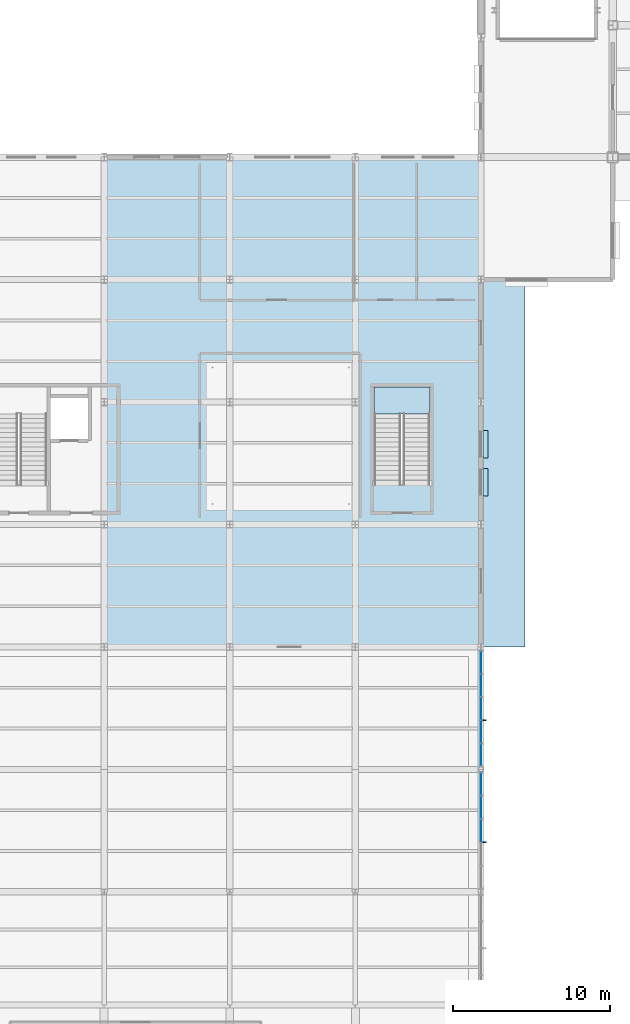
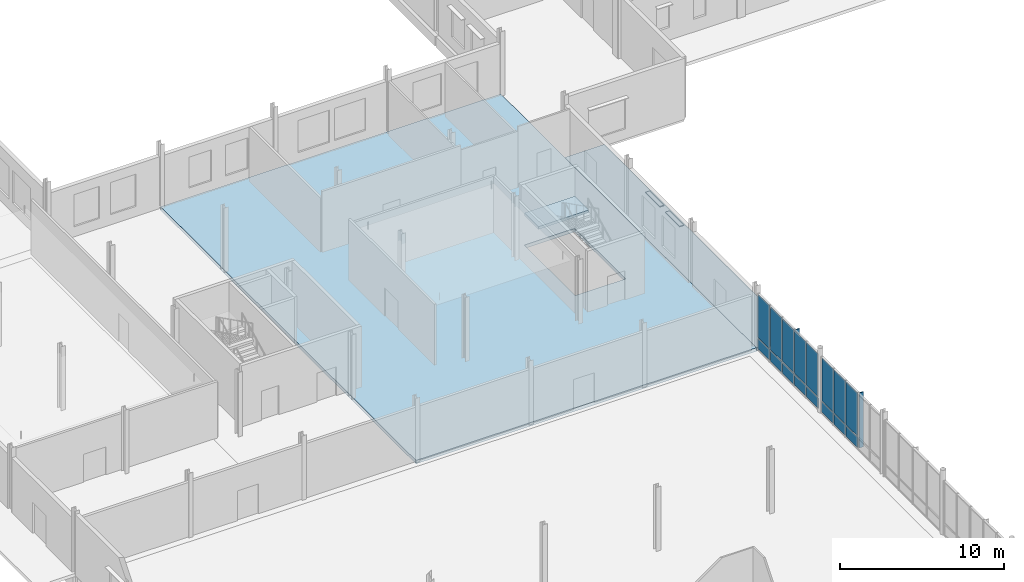
# One storey, part 44 of 82: 20 plates, 3 slabs, 3 elements without a shape of their own.
"""IFC4 building model written with IfcOpenShell, lengths in metres."""

from ifc_helpers import new_model, si_unit, direction, frame, origin, origin_2d, place, context, subcontext, project, spatial, polyline, rectangle, outline, extrude, material, layer, layer_set, type_object, element, aggregate, save


model = new_model("IFC4")

# Units and contexts
model_context = context("Model", 3, precision=1e-05, world=origin(), true_north=direction((0.0, 1.0)))
body_context = subcontext(model_context, "Body", "Model", "MODEL_VIEW")
ifc_project = project(units=[si_unit("LENGTHUNIT", "METRE"), si_unit("AREAUNIT", "SQUARE_METRE"), si_unit("VOLUMEUNIT", "CUBIC_METRE"), si_unit("PLANEANGLEUNIT", "RADIAN"), si_unit("MASSUNIT", "GRAM", prefix="KILO")], contexts=[model_context])

# Site, building, storey
site_placement = place(None, origin())
site = spatial("IfcSite", under=ifc_project, at=site_placement, CompositionType="ELEMENT")
building_placement = place(site_placement, origin())
building = spatial("IfcBuilding", under=site, at=building_placement, Name="Yukiwa Park Conservatory and Herbarium", CompositionType="ELEMENT")
storey_placement = place(building_placement, origin())
storey = spatial("IfcBuildingStorey", under=building, at=storey_placement, Name="L00", CompositionType="ELEMENT", Elevation=0.0)

# Curtain wall, plates
ifc_material_1 = material(Name="Triple Low-E Insulated Glass", Category="glass")
ifc_layer_1 = layer(ifc_material_1, 0.176025390625)
ifc_layer_set_1 = layer_set([ifc_layer_1], Name="Triple Low-E Insulated Glass")
curtain_wall_type = type_object("IfcCurtainWallType", Name="CW-CONCOURSE-1600", PredefinedType="NOTDEFINED", material=ifc_layer_set_1)
curtain_wall_1_placement = place(storey_placement, origin())
curtain_wall_1 = element("IfcCurtainWall", 1, at=curtain_wall_1_placement, inside=storey, type_object=curtain_wall_type, Name="L00 unitised curtain wall CW-L00-013", PredefinedType="NOTDEFINED")
ifc_material_2 = material(Name="Triple Low-E Insulated Glass", Category="glass")
ifc_layer_2 = layer(ifc_material_2, 0.035888671875)
ifc_layer_set_2 = layer_set([ifc_layer_2], Name="Triple Low-E Insulated Glass")
plate_type_1 = type_object("IfcPlateType", Name="PL-CW-GLZ-36", PredefinedType="CURTAIN_PANEL", material=ifc_layer_set_2)
plate_1_placement = place(storey_placement, frame((108.0, 35.0986328125, 0.93994140625), z_axis=(0.0, 0.0, 1.0), x_axis=(0.0, 1.0, 0.0)))
plate_1 = element("IfcPlate", 2, at=plate_1_placement, type_object=plate_type_1, Name="CW-L00-013 vision panel 3.2", PredefinedType="CURTAIN_PANEL", context=body_context, shape_type="SweptSolid", body=[
    extrude(rectangle(XDim=1.409423828125, YDim=0.035888671875, at=origin_2d()), origin(), (0.0, 0.0, 1.0), 3.199951171875),
])
plate_2_placement = place(storey_placement, frame((108.0, 36.587890625, 0.93994140625), z_axis=(0.0, 0.0, 1.0), x_axis=(0.0, 1.0, 0.0)))
plate_2 = element("IfcPlate", 3, at=plate_2_placement, type_object=plate_type_1, Name="CW-L00-013 vision panel 4.2", PredefinedType="CURTAIN_PANEL", context=body_context, shape_type="SweptSolid", body=[
    extrude(rectangle(XDim=1.409423828125, YDim=0.035888671875, at=origin_2d()), origin(), (0.0, 0.0, 1.0), 3.199951171875),
])
plate_3_placement = place(storey_placement, frame((108.0, 38.077392578125, 0.93994140625), z_axis=(0.0, 0.0, 1.0), x_axis=(0.0, 1.0, 0.0)))
plate_3 = element("IfcPlate", 4, at=plate_3_placement, type_object=plate_type_1, Name="CW-L00-013 vision panel 5.2", PredefinedType="CURTAIN_PANEL", context=body_context, shape_type="SweptSolid", body=[
    extrude(rectangle(XDim=1.409423828125, YDim=0.035888671875, at=origin_2d()), origin(), (0.0, 0.0, 1.0), 3.199951171875),
])

curtain_wall_2_placement = place(storey_placement, origin())
curtain_wall_2 = element("IfcCurtainWall", 5, at=curtain_wall_2_placement, inside=storey, type_object=curtain_wall_type, Name="L00 unitised curtain wall CW-L00-014", PredefinedType="NOTDEFINED")
plate_4_placement = place(storey_placement, frame((108.0, 39.91796875, 0.93994140625), z_axis=(0.0, 0.0, 1.0), x_axis=(0.0, 1.0, 0.0)))
plate_4 = element("IfcPlate", 6, at=plate_4_placement, type_object=plate_type_1, Name="CW-L00-014 vision panel 1.2", PredefinedType="CURTAIN_PANEL", context=body_context, shape_type="SweptSolid", body=[
    extrude(rectangle(XDim=1.400390625, YDim=0.035888671875, at=origin_2d()), origin(), (0.0, 0.0, 1.0), 3.199951171875),
])
plate_5_placement = place(storey_placement, frame((108.0, 41.3984375, 0.93994140625), z_axis=(0.0, 0.0, 1.0), x_axis=(0.0, 1.0, 0.0)))
plate_5 = element("IfcPlate", 7, at=plate_5_placement, type_object=plate_type_1, Name="CW-L00-014 vision panel 2.2", PredefinedType="CURTAIN_PANEL", context=body_context, shape_type="SweptSolid", body=[
    extrude(rectangle(XDim=1.400390625, YDim=0.035888671875, at=origin_2d()), origin(), (0.0, 0.0, 1.0), 3.199951171875),
])
plate_6_placement = place(storey_placement, frame((108.0, 42.87890625, 0.93994140625), z_axis=(0.0, 0.0, 1.0), x_axis=(0.0, 1.0, 0.0)))
plate_6 = element("IfcPlate", 8, at=plate_6_placement, type_object=plate_type_1, Name="CW-L00-014 vision panel 3.2", PredefinedType="CURTAIN_PANEL", context=body_context, shape_type="SweptSolid", body=[
    extrude(rectangle(XDim=1.400390625, YDim=0.035888671875, at=origin_2d()), origin(), (0.0, 0.0, 1.0), 3.199951171875),
])
plate_7_placement = place(storey_placement, frame((108.0, 44.359375, 0.93994140625), z_axis=(0.0, 0.0, 1.0), x_axis=(0.0, 1.0, 0.0)))
plate_7 = element("IfcPlate", 9, at=plate_7_placement, type_object=plate_type_1, Name="CW-L00-014 vision panel 4.2", PredefinedType="CURTAIN_PANEL", context=body_context, shape_type="SweptSolid", body=[
    extrude(rectangle(XDim=1.400390625, YDim=0.035888671875, at=origin_2d()), origin(), (0.0, 0.0, 1.0), 3.199951171875),
])
plate_8_placement = place(storey_placement, frame((108.0, 45.83984375, 0.93994140625), z_axis=(0.0, 0.0, 1.0), x_axis=(0.0, 1.0, 0.0)))
plate_8 = element("IfcPlate", 10, at=plate_8_placement, type_object=plate_type_1, Name="CW-L00-014 vision panel 5.2", PredefinedType="CURTAIN_PANEL", context=body_context, shape_type="SweptSolid", body=[
    extrude(rectangle(XDim=1.400390625, YDim=0.035888671875, at=origin_2d()), origin(), (0.0, 0.0, 1.0), 3.199951171875),
])

# Plate
ifc_material_3 = material(Name="Anodised Aluminium", Category="aluminium")
ifc_layer_3 = layer(ifc_material_3, 0.044921875)
ifc_layer_set_3 = layer_set([ifc_layer_3], Name="Anodised Aluminium")
plate_type_2 = type_object("IfcPlateType", Name="PL-CW-SPN-45", PredefinedType="CURTAIN_PANEL", material=ifc_layer_set_3)
plate_9_placement = place(storey_placement, frame((108.0, 35.0986328125, 0.080078125), z_axis=(0.0, 0.0, 1.0), x_axis=(0.0, 1.0, 0.0)))
plate_9 = element("IfcPlate", 11, at=plate_9_placement, type_object=plate_type_2, Name="CW-L00-013 spandrel panel 3.1", PredefinedType="CURTAIN_PANEL", context=body_context, shape_type="SweptSolid", body=[
    extrude(rectangle(XDim=1.409423828125, YDim=0.044921875, at=origin_2d()), origin(), (0.0, 0.0, 1.0), 0.780029296875),
])

plate_10_placement = place(storey_placement, frame((108.0, 36.587890625, 0.080078125), z_axis=(0.0, 0.0, 1.0), x_axis=(0.0, 1.0, 0.0)))
plate_10 = element("IfcPlate", 12, at=plate_10_placement, type_object=plate_type_2, Name="CW-L00-013 spandrel panel 4.1", PredefinedType="CURTAIN_PANEL", context=body_context, shape_type="SweptSolid", body=[
    extrude(rectangle(XDim=1.409423828125, YDim=0.044921875, at=origin_2d()), origin(), (0.0, 0.0, 1.0), 0.780029296875),
])

plate_11_placement = place(storey_placement, frame((108.0, 38.077392578125, 0.080078125), z_axis=(0.0, 0.0, 1.0), x_axis=(0.0, 1.0, 0.0)))
plate_11 = element("IfcPlate", 13, at=plate_11_placement, type_object=plate_type_2, Name="CW-L00-013 spandrel panel 5.1", PredefinedType="CURTAIN_PANEL", context=body_context, shape_type="SweptSolid", body=[
    extrude(rectangle(XDim=1.409423828125, YDim=0.044921875, at=origin_2d()), origin(), (0.0, 0.0, 1.0), 0.780029296875),
])

aggregate(curtain_wall_1, [plate_9, plate_1, plate_10, plate_2, plate_11, plate_3])

plate_12_placement = place(storey_placement, frame((108.0, 39.91796875, 0.080078125), z_axis=(0.0, 0.0, 1.0), x_axis=(0.0, 1.0, 0.0)))
plate_12 = element("IfcPlate", 14, at=plate_12_placement, type_object=plate_type_2, Name="CW-L00-014 spandrel panel 1.1", PredefinedType="CURTAIN_PANEL", context=body_context, shape_type="SweptSolid", body=[
    extrude(rectangle(XDim=1.400390625, YDim=0.044921875, at=origin_2d()), origin(), (0.0, 0.0, 1.0), 0.780029296875),
])

plate_13_placement = place(storey_placement, frame((108.0, 41.3984375, 0.080078125), z_axis=(0.0, 0.0, 1.0), x_axis=(0.0, 1.0, 0.0)))
plate_13 = element("IfcPlate", 15, at=plate_13_placement, type_object=plate_type_2, Name="CW-L00-014 spandrel panel 2.1", PredefinedType="CURTAIN_PANEL", context=body_context, shape_type="SweptSolid", body=[
    extrude(rectangle(XDim=1.400390625, YDim=0.044921875, at=origin_2d()), origin(), (0.0, 0.0, 1.0), 0.780029296875),
])

plate_14_placement = place(storey_placement, frame((108.0, 42.87890625, 0.080078125), z_axis=(0.0, 0.0, 1.0), x_axis=(0.0, 1.0, 0.0)))
plate_14 = element("IfcPlate", 16, at=plate_14_placement, type_object=plate_type_2, Name="CW-L00-014 spandrel panel 3.1", PredefinedType="CURTAIN_PANEL", context=body_context, shape_type="SweptSolid", body=[
    extrude(rectangle(XDim=1.400390625, YDim=0.044921875, at=origin_2d()), origin(), (0.0, 0.0, 1.0), 0.780029296875),
])

plate_15_placement = place(storey_placement, frame((108.0, 44.359375, 0.080078125), z_axis=(0.0, 0.0, 1.0), x_axis=(0.0, 1.0, 0.0)))
plate_15 = element("IfcPlate", 17, at=plate_15_placement, type_object=plate_type_2, Name="CW-L00-014 spandrel panel 4.1", PredefinedType="CURTAIN_PANEL", context=body_context, shape_type="SweptSolid", body=[
    extrude(rectangle(XDim=1.400390625, YDim=0.044921875, at=origin_2d()), origin(), (0.0, 0.0, 1.0), 0.780029296875),
])

plate_16_placement = place(storey_placement, frame((108.0, 45.83984375, 0.080078125), z_axis=(0.0, 0.0, 1.0), x_axis=(0.0, 1.0, 0.0)))
plate_16 = element("IfcPlate", 18, at=plate_16_placement, type_object=plate_type_2, Name="CW-L00-014 spandrel panel 5.1", PredefinedType="CURTAIN_PANEL", context=body_context, shape_type="SweptSolid", body=[
    extrude(rectangle(XDim=1.400390625, YDim=0.044921875, at=origin_2d()), origin(), (0.0, 0.0, 1.0), 0.780029296875),
])

aggregate(curtain_wall_2, [plate_12, plate_4, plate_13, plate_5, plate_14, plate_6, plate_15, plate_7, plate_16, plate_8])

# Plates
ifc_material_4 = material(Name="Charred Larch Cladding", Category="wood")
ifc_layer_4 = layer(ifc_material_4, 0.06494140625)
ifc_layer_set_4 = layer_set([ifc_layer_4], Name="Charred Larch Cladding")
plate_type_3 = type_object("IfcPlateType", Name="PL-FIN-LARCH-65", PredefinedType="USERDEFINED", material=ifc_layer_set_4)
for number, where, z_axis, x_axis, name in (
    (19, (108.205078125, 34.35400390625, 0.06005859375), (0.0, 0.0, 1.0), (0.0, 1.0, 0.0), "CW-L00-013 exterior vertical shading fin"),
    (20, (108.205078125, 42.138671875, 0.06005859375), (0.0, 0.0, 1.0), (0.0, 1.0, 0.0), "CW-L00-014 exterior vertical shading fin"),
):
    element("IfcPlate", number, at=place(storey_placement, frame(where, z_axis=z_axis, x_axis=x_axis)), inside=storey, type_object=plate_type_3, Name=name, ObjectType="SHADING FIN", PredefinedType="USERDEFINED", context=body_context, shape_type="SweptSolid", body=[
        extrude(rectangle(XDim=0.06494140625, YDim=0.280029296875, at=origin_2d()), origin(), (0.0, 0.0, 1.0), 4.10009765625),
    ])
ifc_material_5 = material(Name="Anodised Aluminium", Category="aluminium")
ifc_layer_5 = layer(ifc_material_5, 0.0400390625)
ifc_layer_set_5 = layer_set([ifc_layer_5], Name="Anodised Aluminium")
plate_type_4 = type_object("IfcPlateType", Name="PL-SHADE-ALU-40", PredefinedType="SHEET", material=ifc_layer_set_5)
for number, where, z_axis, x_axis, name in (
    (21, (108.284912109375, 57.281005859375, 3.139892578125), (0.0, 0.0, 1.0), (0.0, 1.0, 0.0), "L00 snow-shedding window hood 1"),
    (22, (108.284912109375, 59.718994140625, 3.139892578125), (0.0, 0.0, 1.0), (0.0, 1.0, 0.0), "L00 snow-shedding window hood 2"),
):
    element("IfcPlate", number, at=place(storey_placement, frame(where, z_axis=z_axis, x_axis=x_axis)), inside=storey, type_object=plate_type_4, Name=name, PredefinedType="SHEET", context=body_context, shape_type="SweptSolid", body=[
        extrude(rectangle(XDim=1.760009765625, YDim=0.300048828125, at=origin_2d()), origin(), (0.0, 0.0, 1.0), 0.0400390625),
    ])

# Slabs
ifc_material_6 = material(Name="Concrete C35", Category="concrete")
ifc_layer_6 = layer(ifc_material_6, 0.239990234375)
ifc_layer_set_6 = layer_set([ifc_layer_6], Name="Concrete C35")
slab_type_1 = type_object("IfcSlabType", Name="SL-APRON-240", PredefinedType="FLOOR", material=ifc_layer_set_6)
slab_1_placement = place(storey_placement, frame((0.0, 0.0, -0.239990234375)))
element("IfcSlab", 23, at=slab_1_placement, inside=storey, type_object=slab_type_1, Name="Visitor east exit stoop", PredefinedType="FLOOR", context=body_context, shape_type="SweptSolid", body=[
    extrude(outline(polyline([(108.0, 46.800048828125), (110.800048828125, 46.800048828125), (110.800048828125, 70.199951171875), (108.0, 70.199951171875), (108.0, 46.800048828125)])), origin(), (0.0, 0.0, 1.0), 0.239990234375),
])
ifc_material_7 = material(Name="Concrete C40", Category="concrete")
ifc_layer_7 = layer(ifc_material_7, 0.260009765625)
ifc_layer_set_7 = layer_set([ifc_layer_7], Name="Concrete C40")
slab_type_2 = type_object("IfcSlabType", Name="SL-FLR-260", PredefinedType="FLOOR", material=ifc_layer_set_7)
slab_2_placement = place(storey_placement, frame((0.0, 0.0, -0.260009765625)))
element("IfcSlab", 24, at=slab_2_placement, inside=storey, type_object=slab_type_2, Name="L00 composite structural floor slab V3E", PredefinedType="FLOOR", context=body_context, shape_type="SweptSolid", body=[
    extrude(outline(polyline([(84.0, 46.800048828125), (84.0, 78.0), (108.0, 78.0), (108.0, 46.800048828125), (84.0, 46.800048828125)]), holes=[polyline([(104.75, 63.35009765625), (101.199951171875, 63.35009765625), (101.199951171875, 57.14990234375), (104.75, 57.14990234375), (104.75, 63.35009765625)])]), origin(), (0.0, 0.0, 1.0), 0.260009765625),
])

# Stair, slab
ifc_material_8 = material(Name="Concrete C40", Category="concrete")
stair_type = type_object("IfcStairType", Name="ST-DOGLEG-ST-V2", PredefinedType="HALF_TURN_STAIR", material=ifc_material_8)
stair_placement = place(storey_placement, origin())
stair = element("IfcStair", 25, at=stair_placement, inside=storey, type_object=stair_type, Name="L00 Visitor East Exit Stair ST-V2", PredefinedType="HALF_TURN_STAIR")
ifc_material_9 = material(Name="Concrete C40", Category="concrete")
ifc_layer_8 = layer(ifc_material_9, 0.199951171875)
ifc_layer_set_8 = layer_set([ifc_layer_8], Name="Concrete C40")
slab_type_3 = type_object("IfcSlabType", Name="SL-LANDING-220", PredefinedType="LANDING", material=ifc_layer_set_8)
slab_3_placement = place(storey_placement, frame((0.0, 0.0, 2.199951171875)))
slab_3 = element("IfcSlab", 26, at=slab_3_placement, type_object=slab_type_3, Name="ST-V2 landing 1", PredefinedType="LANDING", context=body_context, shape_type="SweptSolid", body=[
    extrude(outline(polyline([(104.75, 61.64990234375), (104.75, 63.35009765625), (101.199951171875, 63.35009765625), (101.199951171875, 61.64990234375), (104.75, 61.64990234375)])), origin(), (0.0, 0.0, 1.0), 0.199951171875),
])
aggregate(stair, [slab_3])

save(model, "model.ifc")
